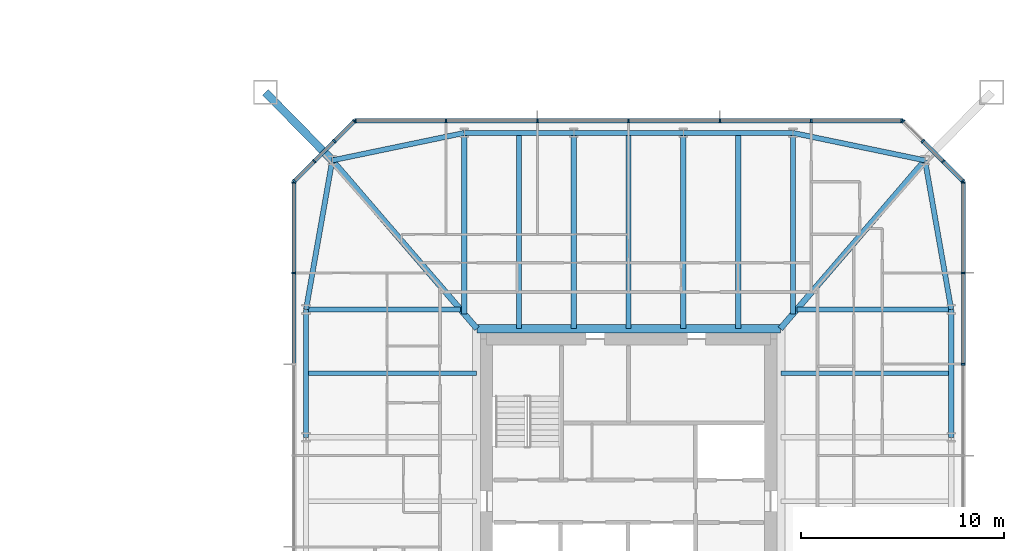
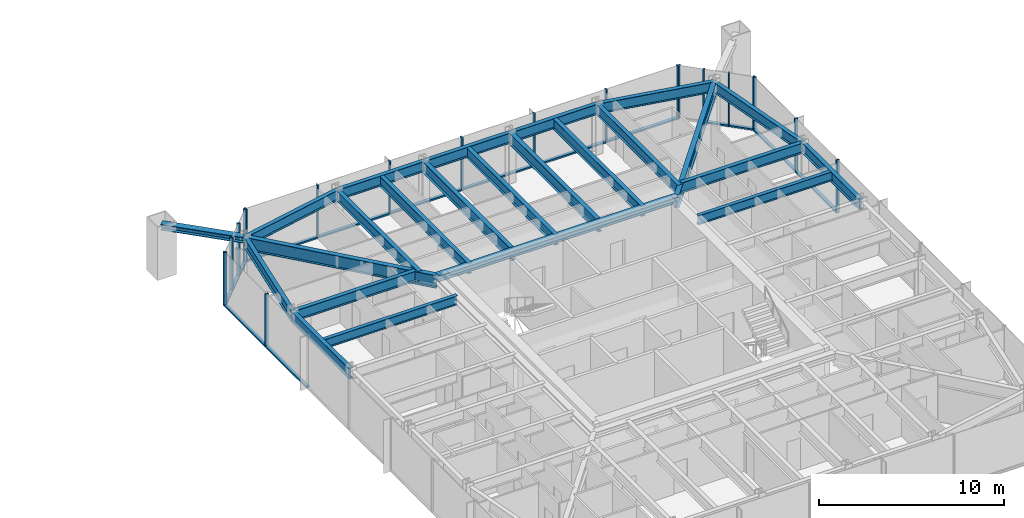
# One storey, part 10 of 26: 36 members, 23 beams, 5 elements without a shape of their own.
"""IFC4 building model written with IfcOpenShell, lengths in metres."""

from ifc_helpers import new_model, si_unit, direction, frame, origin, origin_2d, place, context, subcontext, project, spatial, rectangle, i_section, extrude, material, material_profile, profile_set, type_object, element, aggregate, save


model = new_model("IFC4")

# Units and contexts
model_context = context("Model", 3, precision=1e-05, world=origin(), true_north=direction((0.0, 1.0)))
body_context = subcontext(model_context, "Body", "Model", "MODEL_VIEW")
ifc_project = project(units=[si_unit("LENGTHUNIT", "METRE"), si_unit("AREAUNIT", "SQUARE_METRE"), si_unit("VOLUMEUNIT", "CUBIC_METRE"), si_unit("PLANEANGLEUNIT", "RADIAN"), si_unit("MASSUNIT", "GRAM", prefix="KILO")], contexts=[model_context])

# Site, building, storey
site_placement = place(None, origin())
site = spatial("IfcSite", under=ifc_project, at=site_placement, CompositionType="ELEMENT")
building_placement = place(site_placement, origin())
building = spatial("IfcBuilding", under=site, at=building_placement, Name="Iwan Alto Co-Living Towers", CompositionType="ELEMENT")
storey_placement = place(building_placement, frame((0.0, 0.0, 46.5)))
storey = spatial("IfcBuildingStorey", under=building, at=storey_placement, Name="L12", CompositionType="ELEMENT", Elevation=46.5)

# Curtain wall, members
ifc_material_1 = material(Name="Bronze aluminium unitised frame", Category="aluminium")
curtain_wall_type_1 = type_object("IfcCurtainWallType", Name="CURTAIN WALL CW-C", PredefinedType="NOTDEFINED", material=ifc_material_1)
curtain_wall_1_placement = place(storey_placement, origin())
curtain_wall_1 = element("IfcCurtainWall", 1, at=curtain_wall_1_placement, inside=storey, type_object=curtain_wall_type_1, Name="T2 curtain wall E L12", PredefinedType="NOTDEFINED")
ifc_material_2 = material(Name="Aluminium 6063-T6 bronze anodised", Category="aluminium")
ifc_material_profile_1 = material_profile(ifc_material_2, rectangle(XDim=0.199951171875, YDim=0.080078125, at=origin_2d()), Name="AL 80X200")
ifc_profile_set_1 = profile_set([ifc_material_profile_1], Name="Aluminium 6063-T6 bronze anodised")
member_type_1 = type_object("IfcMemberType", Name="CW-C MULLION 80X200", PredefinedType="MULLION", material=ifc_profile_set_1)
member_1_placement = place(storey_placement, frame((79.5, 6.75, 0.0), z_axis=(0.0, 0.0, 1.0), x_axis=(-1.0, 0.0, 0.0)))
member_1 = element("IfcMember", 2, at=member_1_placement, type_object=member_type_1, Name="CW-C mullion 6", PredefinedType="MULLION", context=body_context, shape_type="SweptSolid", body=[
    extrude(rectangle(XDim=0.199951171875, YDim=0.080078125, at=origin_2d()), origin(), (0.0, 0.0, 1.0), 3.5),
])
member_2_placement = place(storey_placement, frame((79.5, 11.25, 0.0), z_axis=(0.0, 0.0, 1.0), x_axis=(-1.0, 0.0, 0.0)))
member_2 = element("IfcMember", 3, at=member_2_placement, type_object=member_type_1, Name="CW-C mullion 7", PredefinedType="MULLION", context=body_context, shape_type="SweptSolid", body=[
    extrude(rectangle(XDim=0.199951171875, YDim=0.080078125, at=origin_2d()), origin(), (0.0, 0.0, 1.0), 3.5),
])
member_3_placement = place(storey_placement, frame((79.5, 15.7099609375, 0.0), z_axis=(0.0, 0.0, 1.0), x_axis=(-1.0, 0.0, 0.0)))
member_3 = element("IfcMember", 4, at=member_3_placement, type_object=member_type_1, Name="CW-C mullion 8", PredefinedType="MULLION", context=body_context, shape_type="SweptSolid", body=[
    extrude(rectangle(XDim=0.199951171875, YDim=0.080078125, at=origin_2d()), origin(), (0.0, 0.0, 1.0), 3.5),
])

curtain_wall_2_placement = place(storey_placement, origin())
curtain_wall_2 = element("IfcCurtainWall", 5, at=curtain_wall_2_placement, inside=storey, type_object=curtain_wall_type_1, Name="T2 curtain wall N L12", PredefinedType="NOTDEFINED")
member_4_placement = place(storey_placement, frame((76.4599609375, 18.75, 0.0), z_axis=(0.0, 0.0, 1.0), x_axis=(0.0, -1.0, 0.0)))
member_4 = element("IfcMember", 6, at=member_4_placement, type_object=member_type_1, Name="CW-C mullion 1", PredefinedType="MULLION", context=body_context, shape_type="SweptSolid", body=[
    extrude(rectangle(XDim=0.199951171875, YDim=0.080078125, at=origin_2d()), origin(), (0.0, 0.0, 1.0), 3.5),
])
member_5_placement = place(storey_placement, frame((72.0, 18.75, 0.0), z_axis=(0.0, 0.0, 1.0), x_axis=(0.0, -1.0, 0.0)))
member_5 = element("IfcMember", 7, at=member_5_placement, type_object=member_type_1, Name="CW-C mullion 2", PredefinedType="MULLION", context=body_context, shape_type="SweptSolid", body=[
    extrude(rectangle(XDim=0.199951171875, YDim=0.080078125, at=origin_2d()), origin(), (0.0, 0.0, 1.0), 3.5),
])
member_6_placement = place(storey_placement, frame((67.5, 18.75, 0.0), z_axis=(0.0, 0.0, 1.0), x_axis=(0.0, -1.0, 0.0)))
member_6 = element("IfcMember", 8, at=member_6_placement, type_object=member_type_1, Name="CW-C mullion 3", PredefinedType="MULLION", context=body_context, shape_type="SweptSolid", body=[
    extrude(rectangle(XDim=0.199951171875, YDim=0.080078125, at=origin_2d()), origin(), (0.0, 0.0, 1.0), 3.5),
])
member_7_placement = place(storey_placement, frame((63.0, 18.75, 0.0), z_axis=(0.0, 0.0, 1.0), x_axis=(0.0, -1.0, 0.0)))
member_7 = element("IfcMember", 9, at=member_7_placement, type_object=member_type_1, Name="CW-C mullion 4", PredefinedType="MULLION", context=body_context, shape_type="SweptSolid", body=[
    extrude(rectangle(XDim=0.199951171875, YDim=0.080078125, at=origin_2d()), origin(), (0.0, 0.0, 1.0), 3.5),
])
member_8_placement = place(storey_placement, frame((58.5, 18.75, 0.0), z_axis=(0.0, 0.0, 1.0), x_axis=(0.0, -1.0, 0.0)))
member_8 = element("IfcMember", 10, at=member_8_placement, type_object=member_type_1, Name="CW-C mullion 5", PredefinedType="MULLION", context=body_context, shape_type="SweptSolid", body=[
    extrude(rectangle(XDim=0.199951171875, YDim=0.080078125, at=origin_2d()), origin(), (0.0, 0.0, 1.0), 3.5),
])
member_9_placement = place(storey_placement, frame((54.0, 18.75, 0.0), z_axis=(0.0, 0.0, 1.0), x_axis=(0.0, -1.0, 0.0)))
member_9 = element("IfcMember", 11, at=member_9_placement, type_object=member_type_1, Name="CW-C mullion 6", PredefinedType="MULLION", context=body_context, shape_type="SweptSolid", body=[
    extrude(rectangle(XDim=0.199951171875, YDim=0.080078125, at=origin_2d()), origin(), (0.0, 0.0, 1.0), 3.5),
])
member_10_placement = place(storey_placement, frame((49.5400390625, 18.75, 0.0), z_axis=(0.0, 0.0, 1.0), x_axis=(0.0, -1.0, 0.0)))
member_10 = element("IfcMember", 12, at=member_10_placement, type_object=member_type_1, Name="CW-C mullion 7", PredefinedType="MULLION", context=body_context, shape_type="SweptSolid", body=[
    extrude(rectangle(XDim=0.199951171875, YDim=0.080078125, at=origin_2d()), origin(), (0.0, 0.0, 1.0), 3.5),
])

curtain_wall_3_placement = place(storey_placement, origin())
curtain_wall_3 = element("IfcCurtainWall", 13, at=curtain_wall_3_placement, inside=storey, type_object=curtain_wall_type_1, Name="T2 curtain wall W L12", PredefinedType="NOTDEFINED")
member_11_placement = place(storey_placement, frame((46.5, 15.7099609375, 0.0), z_axis=(0.0, 0.0, 1.0), x_axis=(1.0, 0.0, 0.0)))
member_11 = element("IfcMember", 14, at=member_11_placement, type_object=member_type_1, Name="CW-C mullion 1", PredefinedType="MULLION", context=body_context, shape_type="SweptSolid", body=[
    extrude(rectangle(XDim=0.199951171875, YDim=0.080078125, at=origin_2d()), origin(), (0.0, 0.0, 1.0), 3.5),
])
member_12_placement = place(storey_placement, frame((46.5, 11.25, 0.0), z_axis=(0.0, 0.0, 1.0), x_axis=(1.0, 0.0, 0.0)))
member_12 = element("IfcMember", 15, at=member_12_placement, type_object=member_type_1, Name="CW-C mullion 2", PredefinedType="MULLION", context=body_context, shape_type="SweptSolid", body=[
    extrude(rectangle(XDim=0.199951171875, YDim=0.080078125, at=origin_2d()), origin(), (0.0, 0.0, 1.0), 3.5),
])

# Member
ifc_material_3 = material(Name="Aluminium 6063-T6 bronze anodised", Category="aluminium")
ifc_material_profile_2 = material_profile(ifc_material_3, rectangle(XDim=0.199951171875, YDim=0.10009765625, at=origin_2d()), Name="AL 200X100")
ifc_profile_set_2 = profile_set([ifc_material_profile_2], Name="Aluminium 6063-T6 bronze anodised")
member_type_2 = type_object("IfcMemberType", Name="CW-C TRANSOM 200X100", PredefinedType="USERDEFINED", material=ifc_profile_set_2)
member_13_placement = place(storey_placement, frame((79.5, 6.7900390625, 0.050048828125), z_axis=(0.0, 1.0, 0.0), x_axis=(-1.0, 0.0, 0.0)))
member_13 = element("IfcMember", 16, at=member_13_placement, type_object=member_type_2, Name="CW-C transom 6.1", ObjectType="TRANSOM", PredefinedType="USERDEFINED", context=body_context, shape_type="SweptSolid", body=[
    extrude(rectangle(XDim=0.199951171875, YDim=0.10009765625, at=origin_2d()), origin(), (0.0, 0.0, 1.0), 4.419921875),
])

member_14_placement = place(storey_placement, frame((79.5, 11.2900390625, 0.050048828125), z_axis=(0.0, 1.0, 0.0), x_axis=(-1.0, 0.0, 0.0)))
member_14 = element("IfcMember", 17, at=member_14_placement, type_object=member_type_2, Name="CW-C transom 7.1", ObjectType="TRANSOM", PredefinedType="USERDEFINED", context=body_context, shape_type="SweptSolid", body=[
    extrude(rectangle(XDim=0.199951171875, YDim=0.10009765625, at=origin_2d()), origin(), (0.0, 0.0, 1.0), 4.3798828125),
])

aggregate(curtain_wall_1, [member_1, member_2, member_3, member_13, member_14])

member_15_placement = place(storey_placement, frame((76.419921875, 18.75, 0.050048828125), z_axis=(-1.0, 0.0, 0.0), x_axis=(0.0, -1.0, 0.0)))
member_15 = element("IfcMember", 18, at=member_15_placement, type_object=member_type_2, Name="CW-C transom 1.1", ObjectType="TRANSOM", PredefinedType="USERDEFINED", context=body_context, shape_type="SweptSolid", body=[
    extrude(rectangle(XDim=0.199951171875, YDim=0.10009765625, at=origin_2d()), origin(), (0.0, 0.0, 1.0), 4.3798828125),
])

member_16_placement = place(storey_placement, frame((71.9599609375, 18.75, 0.050048828125), z_axis=(-1.0, 0.0, 0.0), x_axis=(0.0, -1.0, 0.0)))
member_16 = element("IfcMember", 19, at=member_16_placement, type_object=member_type_2, Name="CW-C transom 2.1", ObjectType="TRANSOM", PredefinedType="USERDEFINED", context=body_context, shape_type="SweptSolid", body=[
    extrude(rectangle(XDim=0.199951171875, YDim=0.10009765625, at=origin_2d()), origin(), (0.0, 0.0, 1.0), 4.419921875),
])

member_17_placement = place(storey_placement, frame((67.4599609375, 18.75, 0.050048828125), z_axis=(-1.0, 0.0, 0.0), x_axis=(0.0, -1.0, 0.0)))
member_17 = element("IfcMember", 20, at=member_17_placement, type_object=member_type_2, Name="CW-C transom 3.1", ObjectType="TRANSOM", PredefinedType="USERDEFINED", context=body_context, shape_type="SweptSolid", body=[
    extrude(rectangle(XDim=0.199951171875, YDim=0.10009765625, at=origin_2d()), origin(), (0.0, 0.0, 1.0), 4.419921875),
])

member_18_placement = place(storey_placement, frame((62.9599609375, 18.75, 0.050048828125), z_axis=(-1.0, 0.0, 0.0), x_axis=(0.0, -1.0, 0.0)))
member_18 = element("IfcMember", 21, at=member_18_placement, type_object=member_type_2, Name="CW-C transom 4.1", ObjectType="TRANSOM", PredefinedType="USERDEFINED", context=body_context, shape_type="SweptSolid", body=[
    extrude(rectangle(XDim=0.199951171875, YDim=0.10009765625, at=origin_2d()), origin(), (0.0, 0.0, 1.0), 4.419921875),
])

member_19_placement = place(storey_placement, frame((58.4599609375, 18.75, 0.050048828125), z_axis=(-1.0, 0.0, 0.0), x_axis=(0.0, -1.0, 0.0)))
member_19 = element("IfcMember", 22, at=member_19_placement, type_object=member_type_2, Name="CW-C transom 5.1", ObjectType="TRANSOM", PredefinedType="USERDEFINED", context=body_context, shape_type="SweptSolid", body=[
    extrude(rectangle(XDim=0.199951171875, YDim=0.10009765625, at=origin_2d()), origin(), (0.0, 0.0, 1.0), 4.419921875),
])

member_20_placement = place(storey_placement, frame((53.9599609375, 18.75, 0.050048828125), z_axis=(-1.0, 0.0, 0.0), x_axis=(0.0, -1.0, 0.0)))
member_20 = element("IfcMember", 23, at=member_20_placement, type_object=member_type_2, Name="CW-C transom 6.1", ObjectType="TRANSOM", PredefinedType="USERDEFINED", context=body_context, shape_type="SweptSolid", body=[
    extrude(rectangle(XDim=0.199951171875, YDim=0.10009765625, at=origin_2d()), origin(), (0.0, 0.0, 1.0), 4.3798828125),
])

aggregate(curtain_wall_2, [member_4, member_5, member_6, member_7, member_8, member_9, member_10, member_15, member_16, member_17, member_18, member_19, member_20])

member_21_placement = place(storey_placement, frame((46.5, 15.669921875, 0.050048828125), z_axis=(0.0, -1.0, 0.0), x_axis=(1.0, 0.0, 0.0)))
member_21 = element("IfcMember", 24, at=member_21_placement, type_object=member_type_2, Name="CW-C transom 1.1", ObjectType="TRANSOM", PredefinedType="USERDEFINED", context=body_context, shape_type="SweptSolid", body=[
    extrude(rectangle(XDim=0.199951171875, YDim=0.10009765625, at=origin_2d()), origin(), (0.0, 0.0, 1.0), 4.3798828125),
])

member_22_placement = place(storey_placement, frame((46.5, 11.2099609375, 0.050048828125), z_axis=(0.0, -1.0, 0.0), x_axis=(1.0, 0.0, 0.0)))
member_22 = element("IfcMember", 25, at=member_22_placement, type_object=member_type_2, Name="CW-C transom 2.1", ObjectType="TRANSOM", PredefinedType="USERDEFINED", context=body_context, shape_type="SweptSolid", body=[
    extrude(rectangle(XDim=0.199951171875, YDim=0.10009765625, at=origin_2d()), origin(), (0.0, 0.0, 1.0), 4.419921875),
])

aggregate(curtain_wall_3, [member_11, member_12, member_21, member_22])

# Curtain wall, members
ifc_material_4 = material(Name="Bronze aluminium unitised frame", Category="aluminium")
curtain_wall_type_2 = type_object("IfcCurtainWallType", Name="CURTAIN WALL CW-D", PredefinedType="NOTDEFINED", material=ifc_material_4)
curtain_wall_4_placement = place(storey_placement, origin())
curtain_wall_4 = element("IfcCurtainWall", 26, at=curtain_wall_4_placement, inside=storey, type_object=curtain_wall_type_2, Name="T2 chamfer curtain wall NE L12", PredefinedType="NOTDEFINED")
ifc_material_5 = material(Name="Aluminium 6063-T6 bronze anodised", Category="aluminium")
ifc_material_profile_3 = material_profile(ifc_material_5, rectangle(XDim=0.199951171875, YDim=0.080078125, at=origin_2d()), Name="AL 80X200")
ifc_profile_set_3 = profile_set([ifc_material_profile_3], Name="Aluminium 6063-T6 bronze anodised")
member_type_3 = type_object("IfcMemberType", Name="CW-D MULLION 80X200", PredefinedType="MULLION", material=ifc_profile_set_3)
member_23_placement = place(storey_placement, frame((79.4716796875, 15.7783203125, 0.0), z_axis=(0.0, 0.0, 1.0), x_axis=(-0.707106781187, -0.707106781187, 0.0)))
member_23 = element("IfcMember", 27, at=member_23_placement, type_object=member_type_3, Name="CW-D mullion 1", PredefinedType="MULLION", context=body_context, shape_type="SweptSolid", body=[
    extrude(rectangle(XDim=0.199951171875, YDim=0.080078125, at=origin_2d()), origin(), (0.0, 0.0, 1.0), 3.5),
])
member_24_placement = place(storey_placement, frame((78.5, 16.75, 0.0), z_axis=(0.0, 0.0, 1.0), x_axis=(-0.707106781187, -0.707106781187, 0.0)))
member_24 = element("IfcMember", 28, at=member_24_placement, type_object=member_type_3, Name="CW-D mullion 2", PredefinedType="MULLION", context=body_context, shape_type="SweptSolid", body=[
    extrude(rectangle(XDim=0.199951171875, YDim=0.080078125, at=origin_2d()), origin(), (0.0, 0.0, 1.0), 3.5),
])
member_25_placement = place(storey_placement, frame((77.5, 17.75, 0.0), z_axis=(0.0, 0.0, 1.0), x_axis=(-0.707106781187, -0.707106781187, 0.0)))
member_25 = element("IfcMember", 29, at=member_25_placement, type_object=member_type_3, Name="CW-D mullion 3", PredefinedType="MULLION", context=body_context, shape_type="SweptSolid", body=[
    extrude(rectangle(XDim=0.199951171875, YDim=0.080078125, at=origin_2d()), origin(), (0.0, 0.0, 1.0), 3.5),
])
member_26_placement = place(storey_placement, frame((76.5283203125, 18.7216796875, 0.0), z_axis=(0.0, 0.0, 1.0), x_axis=(-0.707106781187, -0.707106781187, 0.0)))
member_26 = element("IfcMember", 30, at=member_26_placement, type_object=member_type_3, Name="CW-D mullion 4", PredefinedType="MULLION", context=body_context, shape_type="SweptSolid", body=[
    extrude(rectangle(XDim=0.199951171875, YDim=0.080078125, at=origin_2d()), origin(), (0.0, 0.0, 1.0), 3.5),
])

curtain_wall_5_placement = place(storey_placement, origin())
curtain_wall_5 = element("IfcCurtainWall", 31, at=curtain_wall_5_placement, inside=storey, type_object=curtain_wall_type_2, Name="T2 chamfer curtain wall NW L12", PredefinedType="NOTDEFINED")
member_27_placement = place(storey_placement, frame((49.4716796875, 18.7216796875, 0.0), z_axis=(0.0, 0.0, 1.0), x_axis=(0.707106781187, -0.707106781187, 0.0)))
member_27 = element("IfcMember", 32, at=member_27_placement, type_object=member_type_3, Name="CW-D mullion 1", PredefinedType="MULLION", context=body_context, shape_type="SweptSolid", body=[
    extrude(rectangle(XDim=0.199951171875, YDim=0.080078125, at=origin_2d()), origin(), (0.0, 0.0, 1.0), 3.5),
])
member_28_placement = place(storey_placement, frame((48.5, 17.75, 0.0), z_axis=(0.0, 0.0, 1.0), x_axis=(0.707106781187, -0.707106781187, 0.0)))
member_28 = element("IfcMember", 33, at=member_28_placement, type_object=member_type_3, Name="CW-D mullion 2", PredefinedType="MULLION", context=body_context, shape_type="SweptSolid", body=[
    extrude(rectangle(XDim=0.199951171875, YDim=0.080078125, at=origin_2d()), origin(), (0.0, 0.0, 1.0), 3.5),
])
member_29_placement = place(storey_placement, frame((47.5, 16.75, 0.0), z_axis=(0.0, 0.0, 1.0), x_axis=(0.707106781187, -0.707106781187, 0.0)))
member_29 = element("IfcMember", 34, at=member_29_placement, type_object=member_type_3, Name="CW-D mullion 3", PredefinedType="MULLION", context=body_context, shape_type="SweptSolid", body=[
    extrude(rectangle(XDim=0.199951171875, YDim=0.080078125, at=origin_2d()), origin(), (0.0, 0.0, 1.0), 3.5),
])
member_30_placement = place(storey_placement, frame((46.5283203125, 15.7783203125, 0.0), z_axis=(0.0, 0.0, 1.0), x_axis=(0.707106781187, -0.707106781187, 0.0)))
member_30 = element("IfcMember", 35, at=member_30_placement, type_object=member_type_3, Name="CW-D mullion 4", PredefinedType="MULLION", context=body_context, shape_type="SweptSolid", body=[
    extrude(rectangle(XDim=0.199951171875, YDim=0.080078125, at=origin_2d()), origin(), (0.0, 0.0, 1.0), 3.5),
])

# Member
ifc_material_6 = material(Name="Aluminium 6063-T6 bronze anodised", Category="aluminium")
ifc_material_profile_4 = material_profile(ifc_material_6, rectangle(XDim=0.199951171875, YDim=0.10009765625, at=origin_2d()), Name="AL 200X100")
ifc_profile_set_4 = profile_set([ifc_material_profile_4], Name="Aluminium 6063-T6 bronze anodised")
member_type_4 = type_object("IfcMemberType", Name="CW-D TRANSOM 200X100", PredefinedType="USERDEFINED", material=ifc_profile_set_4)
member_31_placement = place(storey_placement, frame((79.443359375, 15.806640625, 0.050048828125), z_axis=(-0.707106781187, 0.707106781187, 0.0), x_axis=(-0.707106781187, -0.707106781187, 0.0)))
member_31 = element("IfcMember", 36, at=member_31_placement, type_object=member_type_4, Name="CW-D transom 1.1", ObjectType="TRANSOM", PredefinedType="USERDEFINED", context=body_context, shape_type="SweptSolid", body=[
    extrude(rectangle(XDim=0.199951171875, YDim=0.10009765625, at=origin_2d()), origin(), (0.0, 0.0, 1.0), 1.2939453125),
])

member_32_placement = place(storey_placement, frame((78.4716796875, 16.7783203125, 0.050048828125), z_axis=(-0.707106781187, 0.707106781187, 0.0), x_axis=(-0.707106781187, -0.707106781187, 0.0)))
member_32 = element("IfcMember", 37, at=member_32_placement, type_object=member_type_4, Name="CW-D transom 2.1", ObjectType="TRANSOM", PredefinedType="USERDEFINED", context=body_context, shape_type="SweptSolid", body=[
    extrude(rectangle(XDim=0.199951171875, YDim=0.10009765625, at=origin_2d()), origin(), (0.0, 0.0, 1.0), 1.334228515625),
])

aggregate(curtain_wall_4, [member_23, member_24, member_25, member_26, member_31, member_32])

member_33_placement = place(storey_placement, frame((49.443359375, 18.693359375, 0.050048828125), z_axis=(-0.707106781187, -0.707106781187, 0.0), x_axis=(0.707106781187, -0.707106781187, 0.0)))
member_33 = element("IfcMember", 38, at=member_33_placement, type_object=member_type_4, Name="CW-D transom 1.1", ObjectType="TRANSOM", PredefinedType="USERDEFINED", context=body_context, shape_type="SweptSolid", body=[
    extrude(rectangle(XDim=0.199951171875, YDim=0.10009765625, at=origin_2d()), origin(), (0.0, 0.0, 1.0), 1.2939453125),
])

member_34_placement = place(storey_placement, frame((48.4716796875, 17.7216796875, 0.050048828125), z_axis=(-0.707106781187, -0.707106781187, 0.0), x_axis=(0.707106781187, -0.707106781187, 0.0)))
member_34 = element("IfcMember", 39, at=member_34_placement, type_object=member_type_4, Name="CW-D transom 2.1", ObjectType="TRANSOM", PredefinedType="USERDEFINED", context=body_context, shape_type="SweptSolid", body=[
    extrude(rectangle(XDim=0.199951171875, YDim=0.10009765625, at=origin_2d()), origin(), (0.0, 0.0, 1.0), 1.334228515625),
])

member_35_placement = place(storey_placement, frame((47.4716796875, 16.7216796875, 0.050048828125), z_axis=(-0.707106781187, -0.707106781187, 0.0), x_axis=(0.707106781187, -0.707106781187, 0.0)))
member_35 = element("IfcMember", 40, at=member_35_placement, type_object=member_type_4, Name="CW-D transom 3.1", ObjectType="TRANSOM", PredefinedType="USERDEFINED", context=body_context, shape_type="SweptSolid", body=[
    extrude(rectangle(XDim=0.199951171875, YDim=0.10009765625, at=origin_2d()), origin(), (0.0, 0.0, 1.0), 1.2939453125),
])

aggregate(curtain_wall_5, [member_27, member_28, member_29, member_30, member_33, member_34, member_35])

# Beams
ifc_material_7 = material(Name="Steel ASTM A992 Gr 50", Category="steel")
ifc_material_profile_5 = material_profile(ifc_material_7, i_section(OverallWidth=0.40380859375, OverallDepth=0.406494140625, WebThickness=0.027099609375, FlangeThickness=0.043701171875, at=origin_2d()), Name="W14X233")
ifc_profile_set_5 = profile_set([ifc_material_profile_5], Name="Steel ASTM A992 Gr 50")
beam_type_1 = type_object("IfcBeamType", Name="T2 CORE LEDGER BEAM W14X233", PredefinedType="BEAM", material=ifc_profile_set_5)
beam_1_placement = place(storey_placement, frame((70.4736328125, 8.501953125, 3.06689453125), z_axis=(-1.0, 0.0, 0.0), x_axis=(0.0, -1.0, 0.0)))
element("IfcBeam", 41, at=beam_1_placement, inside=storey, type_object=beam_type_1, Name="T2 core ledger beam N L13", PredefinedType="BEAM", context=body_context, shape_type="SweptSolid", body=[
    extrude(i_section(OverallWidth=0.40380859375, OverallDepth=0.406494140625, WebThickness=0.027099609375, FlangeThickness=0.043701171875, at=origin_2d()), origin(), (0.0, 0.0, 1.0), 14.947265625),
])
ifc_material_8 = material(Name="Steel ASTM A992 Gr 50", Category="steel")
ifc_material_profile_6 = material_profile(ifc_material_8, i_section(OverallWidth=0.2919921875, OverallDepth=0.8408203125, WebThickness=0.0146484375, FlangeThickness=0.021728515625, at=origin_2d()), Name="W33X130")
ifc_profile_set_6 = profile_set([ifc_material_profile_6], Name="Steel ASTM A992 Gr 50")
beam_type_2 = type_object("IfcBeamType", Name="T2 CORNER GIRDER W33X130", PredefinedType="BEAM", material=ifc_profile_set_6)
for number, where, z_axis, x_axis, name in (
    (42, (77.606201171875, 16.797119140625, 2.849609375), (-0.651972301827, -0.758242782788, 0.0), (0.758242782788, -0.651972301827, 0.0), "T2 corner girder CNE L13"),
    (43, (48.393798828125, 16.797119140625, 2.849609375), (0.651972301827, -0.758242782788, 0.0), (0.758242782788, 0.651972301827, 0.0), "T2 corner girder CNW L13"),
):
    element("IfcBeam", number, at=place(storey_placement, frame(where, z_axis=z_axis, x_axis=x_axis)), inside=storey, type_object=beam_type_2, Name=name, PredefinedType="BEAM", context=body_context, shape_type="SweptSolid", body=[
        extrude(i_section(OverallWidth=0.2919921875, OverallDepth=0.8408203125, WebThickness=0.0146484375, FlangeThickness=0.021728515625, at=origin_2d()), origin(), (0.0, 0.0, 1.0), 10.93994140625),
    ])
ifc_material_9 = material(Name="Steel ASTM A992 Gr 50", Category="steel")
ifc_material_profile_7 = material_profile(ifc_material_9, i_section(OverallWidth=0.25390625, OverallDepth=0.683349609375, WebThickness=0.012451171875, FlangeThickness=0.018798828125, at=origin_2d()), Name="W27X94")
ifc_profile_set_7 = profile_set([ifc_material_profile_7], Name="Steel ASTM A992 Gr 50")
beam_type_3 = type_object("IfcBeamType", Name="T2 EDGE BEAM W27X94", PredefinedType="BEAM", material=ifc_profile_set_7)
beam_2_placement = place(storey_placement, frame((78.89990234375, 3.14990234375, 2.928466796875), z_axis=(0.0, 1.0, 0.0), x_axis=(-1.0, 0.0, 0.0)))
element("IfcBeam", 44, at=beam_2_placement, inside=storey, type_object=beam_type_3, Name="T2 edge beam E3 L13", PredefinedType="BEAM", context=body_context, shape_type="SweptSolid", body=[
    extrude(i_section(OverallWidth=0.25390625, OverallDepth=0.683349609375, WebThickness=0.012451171875, FlangeThickness=0.018798828125, at=origin_2d()), origin(), (0.0, 0.0, 1.0), 6.300048828125),
])
beam_3_placement = place(storey_placement, frame((78.89990234375, 9.449951171875, 2.928466796875), z_axis=(-0.173413807283, 0.98484905008, 0.0), x_axis=(-0.98484905008, -0.173413807283, 0.0)))
element("IfcBeam", 45, at=beam_3_placement, inside=storey, type_object=beam_type_3, Name="T2 edge beam E4 L13", PredefinedType="BEAM", context=body_context, shape_type="SweptSolid", body=[
    extrude(i_section(OverallWidth=0.25390625, OverallDepth=0.683349609375, WebThickness=0.012451171875, FlangeThickness=0.018798828125, at=origin_2d()), origin(), (0.0, 0.0, 1.0), 7.460205078125),
])
beam_4_placement = place(storey_placement, frame((77.606201171875, 16.797119140625, 2.928466796875), z_axis=(-0.979060119423, 0.203571320564, 0.0), x_axis=(-0.203571320564, -0.979060119423, 0.0)))
element("IfcBeam", 46, at=beam_4_placement, inside=storey, type_object=beam_type_3, Name="T2 edge beam CNE L13", PredefinedType="BEAM", context=body_context, shape_type="SweptSolid", body=[
    extrude(i_section(OverallWidth=0.25390625, OverallDepth=0.683349609375, WebThickness=0.012451171875, FlangeThickness=0.018798828125, at=origin_2d()), origin(), (0.0, 0.0, 1.0), 6.645263671875),
])
beam_5_placement = place(storey_placement, frame((71.10009765625, 18.14990234375, 2.928466796875), z_axis=(-1.0, 0.0, 0.0), x_axis=(0.0, -1.0, 0.0)))
element("IfcBeam", 47, at=beam_5_placement, inside=storey, type_object=beam_type_3, Name="T2 edge beam N1 L13", PredefinedType="BEAM", context=body_context, shape_type="SweptSolid", body=[
    extrude(i_section(OverallWidth=0.25390625, OverallDepth=0.683349609375, WebThickness=0.012451171875, FlangeThickness=0.018798828125, at=origin_2d()), origin(), (0.0, 0.0, 1.0), 5.400146484375),
])
beam_6_placement = place(storey_placement, frame((65.699951171875, 18.14990234375, 2.928466796875), z_axis=(-1.0, 0.0, 0.0), x_axis=(0.0, -1.0, 0.0)))
element("IfcBeam", 48, at=beam_6_placement, inside=storey, type_object=beam_type_3, Name="T2 edge beam N2 L13", PredefinedType="BEAM", context=body_context, shape_type="SweptSolid", body=[
    extrude(i_section(OverallWidth=0.25390625, OverallDepth=0.683349609375, WebThickness=0.012451171875, FlangeThickness=0.018798828125, at=origin_2d()), origin(), (0.0, 0.0, 1.0), 5.39990234375),
])
beam_7_placement = place(storey_placement, frame((60.300048828125, 18.14990234375, 2.928466796875), z_axis=(-1.0, 0.0, 0.0), x_axis=(0.0, -1.0, 0.0)))
element("IfcBeam", 49, at=beam_7_placement, inside=storey, type_object=beam_type_3, Name="T2 edge beam N3 L13", PredefinedType="BEAM", context=body_context, shape_type="SweptSolid", body=[
    extrude(i_section(OverallWidth=0.25390625, OverallDepth=0.683349609375, WebThickness=0.012451171875, FlangeThickness=0.018798828125, at=origin_2d()), origin(), (0.0, 0.0, 1.0), 5.400146484375),
])
beam_8_placement = place(storey_placement, frame((54.89990234375, 18.14990234375, 2.928466796875), z_axis=(-0.979060119423, -0.203571320564, 0.0), x_axis=(0.203571320564, -0.979060119423, 0.0)))
element("IfcBeam", 50, at=beam_8_placement, inside=storey, type_object=beam_type_3, Name="T2 edge beam N4 L13", PredefinedType="BEAM", context=body_context, shape_type="SweptSolid", body=[
    extrude(i_section(OverallWidth=0.25390625, OverallDepth=0.683349609375, WebThickness=0.012451171875, FlangeThickness=0.018798828125, at=origin_2d()), origin(), (0.0, 0.0, 1.0), 6.645263671875),
])
beam_9_placement = place(storey_placement, frame((48.393798828125, 16.797119140625, 2.928466796875), z_axis=(-0.173413807283, -0.98484905008, 0.0), x_axis=(0.98484905008, -0.173413807283, 0.0)))
element("IfcBeam", 51, at=beam_9_placement, inside=storey, type_object=beam_type_3, Name="T2 edge beam CNW L13", PredefinedType="BEAM", context=body_context, shape_type="SweptSolid", body=[
    extrude(i_section(OverallWidth=0.25390625, OverallDepth=0.683349609375, WebThickness=0.012451171875, FlangeThickness=0.018798828125, at=origin_2d()), origin(), (0.0, 0.0, 1.0), 7.460205078125),
])
beam_10_placement = place(storey_placement, frame((47.10009765625, 9.449951171875, 2.928466796875), z_axis=(0.0, -1.0, 0.0), x_axis=(1.0, 0.0, 0.0)))
element("IfcBeam", 52, at=beam_10_placement, inside=storey, type_object=beam_type_3, Name="T2 edge beam W1 L13", PredefinedType="BEAM", context=body_context, shape_type="SweptSolid", body=[
    extrude(i_section(OverallWidth=0.25390625, OverallDepth=0.683349609375, WebThickness=0.012451171875, FlangeThickness=0.018798828125, at=origin_2d()), origin(), (0.0, 0.0, 1.0), 6.300048828125),
])

# Member
ifc_material_10 = material(Name="Steel ASTM A992 Gr 50", Category="steel")
ifc_material_profile_8 = material_profile(ifc_material_10, i_section(OverallWidth=0.393798828125, OverallDepth=0.3759765625, WebThickness=0.017333984375, FlangeThickness=0.027587890625, at=origin_2d()), Name="W14X145")
ifc_profile_set_8 = profile_set([ifc_material_profile_8], Name="Steel ASTM A992 Gr 50")
member_type_5 = type_object("IfcMemberType", Name="T2 MEGA COLUMN FLOOR TIE W14X145", PredefinedType="STRUT", material=ifc_profile_set_8)
member_36_placement = place(storey_placement, frame((45.10009765625, 20.14990234375, 3.08203125), z_axis=(0.700793469544, -0.71336422187, 0.0), x_axis=(0.71336422187, 0.700793469544, 0.0)))
element("IfcMember", 53, at=member_36_placement, inside=storey, type_object=member_type_5, Name="T2 mega column floor tie NW L13", PredefinedType="STRUT", context=body_context, shape_type="SweptSolid", body=[
    extrude(i_section(OverallWidth=0.393798828125, OverallDepth=0.3759765625, WebThickness=0.017333984375, FlangeThickness=0.027587890625, at=origin_2d()), origin(), (0.0, 0.0, 1.0), 4.699951171875),
])

# Beams
ifc_material_11 = material(Name="Steel ASTM A992 Gr 50", Category="steel")
ifc_material_profile_9 = material_profile(ifc_material_11, i_section(OverallWidth=0.25390625, OverallDepth=0.683349609375, WebThickness=0.012451171875, FlangeThickness=0.018798828125, at=origin_2d()), Name="W27X94")
ifc_profile_set_9 = profile_set([ifc_material_profile_9], Name="Steel ASTM A992 Gr 50")
beam_type_4 = type_object("IfcBeamType", Name="T2 RADIAL BEAM W27X94", PredefinedType="BEAM", material=ifc_profile_set_9)
beam_11_placement = place(storey_placement, frame((78.89990234375, 9.449951171875, 2.928466796875), z_axis=(-1.0, 0.0, 0.0), x_axis=(0.0, -1.0, 0.0)))
element("IfcBeam", 54, at=beam_11_placement, inside=storey, type_object=beam_type_4, Name="T2 radial beam E4 L13", PredefinedType="BEAM", context=body_context, shape_type="SweptSolid", body=[
    extrude(i_section(OverallWidth=0.25390625, OverallDepth=0.683349609375, WebThickness=0.012451171875, FlangeThickness=0.018798828125, at=origin_2d()), origin(), (0.0, 0.0, 1.0), 7.611083984375),
])
for number, where, z_axis, x_axis, name in (
    (55, (71.10009765625, 18.14990234375, 2.928466796875), (0.0, -1.0, 0.0), (1.0, 0.0, 0.0), "T2 radial beam N1 L13"),
    (56, (54.89990234375, 18.14990234375, 2.928466796875), (0.0, -1.0, 0.0), (1.0, 0.0, 0.0), "T2 radial beam N4 L13"),
):
    element("IfcBeam", number, at=place(storey_placement, frame(where, z_axis=z_axis, x_axis=x_axis)), inside=storey, type_object=beam_type_4, Name=name, PredefinedType="BEAM", context=body_context, shape_type="SweptSolid", body=[
        extrude(i_section(OverallWidth=0.25390625, OverallDepth=0.683349609375, WebThickness=0.012451171875, FlangeThickness=0.018798828125, at=origin_2d()), origin(), (0.0, 0.0, 1.0), 8.91943359375),
    ])
beam_12_placement = place(storey_placement, frame((47.10009765625, 9.449951171875, 2.928466796875), z_axis=(1.0, 0.0, 0.0), x_axis=(0.0, 1.0, 0.0)))
element("IfcBeam", 57, at=beam_12_placement, inside=storey, type_object=beam_type_4, Name="T2 radial beam W1 L13", PredefinedType="BEAM", context=body_context, shape_type="SweptSolid", body=[
    extrude(i_section(OverallWidth=0.25390625, OverallDepth=0.683349609375, WebThickness=0.012451171875, FlangeThickness=0.018798828125, at=origin_2d()), origin(), (0.0, 0.0, 1.0), 7.611083984375),
])
ifc_material_12 = material(Name="Steel ASTM A992 Gr 50", Category="steel")
ifc_material_profile_10 = material_profile(ifc_material_12, i_section(OverallWidth=0.2666015625, OverallDepth=0.761962890625, WebThickness=0.014404296875, FlangeThickness=0.021484375, at=origin_2d()), Name="W30X116")
ifc_profile_set_10 = profile_set([ifc_material_profile_10], Name="Steel ASTM A992 Gr 50")
beam_type_5 = type_object("IfcBeamType", Name="T2 RADIAL BEAM W30X116", PredefinedType="BEAM", material=ifc_profile_set_10)
for number, where, z_axis, x_axis, name in (
    (58, (65.699951171875, 18.14990234375, 2.888916015625), (0.0, -1.0, 0.0), (1.0, 0.0, 0.0), "T2 radial beam N2 L13"),
    (59, (60.300048828125, 18.14990234375, 2.888916015625), (0.0, -1.0, 0.0), (1.0, 0.0, 0.0), "T2 radial beam N3 L13"),
):
    element("IfcBeam", number, at=place(storey_placement, frame(where, z_axis=z_axis, x_axis=x_axis)), inside=storey, type_object=beam_type_5, Name=name, PredefinedType="BEAM", context=body_context, shape_type="SweptSolid", body=[
        extrude(i_section(OverallWidth=0.2666015625, OverallDepth=0.761962890625, WebThickness=0.014404296875, FlangeThickness=0.021484375, at=origin_2d()), origin(), (0.0, 0.0, 1.0), 9.64794921875),
    ])
ifc_material_13 = material(Name="Steel ASTM A992 Gr 50", Category="steel")
ifc_material_profile_11 = material_profile(ifc_material_13, i_section(OverallWidth=0.228271484375, OverallDepth=0.607177734375, WebThickness=0.01123046875, FlangeThickness=0.017333984375, at=origin_2d()), Name="W24X76")
ifc_profile_set_11 = profile_set([ifc_material_profile_11], Name="Steel ASTM A992 Gr 50")
beam_type_6 = type_object("IfcBeamType", Name="T2 SECONDARY BEAM W24X76", PredefinedType="JOIST", material=ifc_profile_set_11)
for number, where, z_axis, x_axis, name in (
    (60, (78.89990234375, 6.300048828125, 2.966552734375), (-1.0, 0.0, 0.0), (0.0, -1.0, 0.0), "T2 secondary beam E3 L13"),
    (61, (47.10009765625, 6.300048828125, 2.966552734375), (1.0, 0.0, 0.0), (0.0, 1.0, 0.0), "T2 secondary beam W1 L13"),
):
    element("IfcBeam", number, at=place(storey_placement, frame(where, z_axis=z_axis, x_axis=x_axis)), inside=storey, type_object=beam_type_6, Name=name, PredefinedType="JOIST", context=body_context, shape_type="SweptSolid", body=[
        extrude(i_section(OverallWidth=0.228271484375, OverallDepth=0.607177734375, WebThickness=0.01123046875, FlangeThickness=0.017333984375, at=origin_2d()), origin(), (0.0, 0.0, 1.0), 8.39794921875),
    ])
ifc_material_14 = material(Name="Steel ASTM A992 Gr 50", Category="steel")
ifc_material_profile_12 = material_profile(ifc_material_14, i_section(OverallWidth=0.25390625, OverallDepth=0.683349609375, WebThickness=0.012451171875, FlangeThickness=0.018798828125, at=origin_2d()), Name="W27X94")
ifc_profile_set_12 = profile_set([ifc_material_profile_12], Name="Steel ASTM A992 Gr 50")
beam_type_7 = type_object("IfcBeamType", Name="T2 SECONDARY BEAM W27X94", PredefinedType="JOIST", material=ifc_profile_set_12)
for number, where, z_axis, x_axis, name in (
    (62, (68.39990234375, 18.14990234375, 2.928466796875), (0.0, -1.0, 0.0), (1.0, 0.0, 0.0), "T2 secondary beam N1 L13"),
    (63, (63.0, 18.14990234375, 2.928466796875), (0.0, -1.0, 0.0), (1.0, 0.0, 0.0), "T2 secondary beam N2 L13"),
    (64, (57.60009765625, 18.14990234375, 2.928466796875), (0.0, -1.0, 0.0), (1.0, 0.0, 0.0), "T2 secondary beam N3 L13"),
):
    element("IfcBeam", number, at=place(storey_placement, frame(where, z_axis=z_axis, x_axis=x_axis)), inside=storey, type_object=beam_type_7, Name=name, PredefinedType="JOIST", context=body_context, shape_type="SweptSolid", body=[
        extrude(i_section(OverallWidth=0.25390625, OverallDepth=0.683349609375, WebThickness=0.012451171875, FlangeThickness=0.018798828125, at=origin_2d()), origin(), (0.0, 0.0, 1.0), 9.64794921875),
    ])

save(model, "model.ifc")
